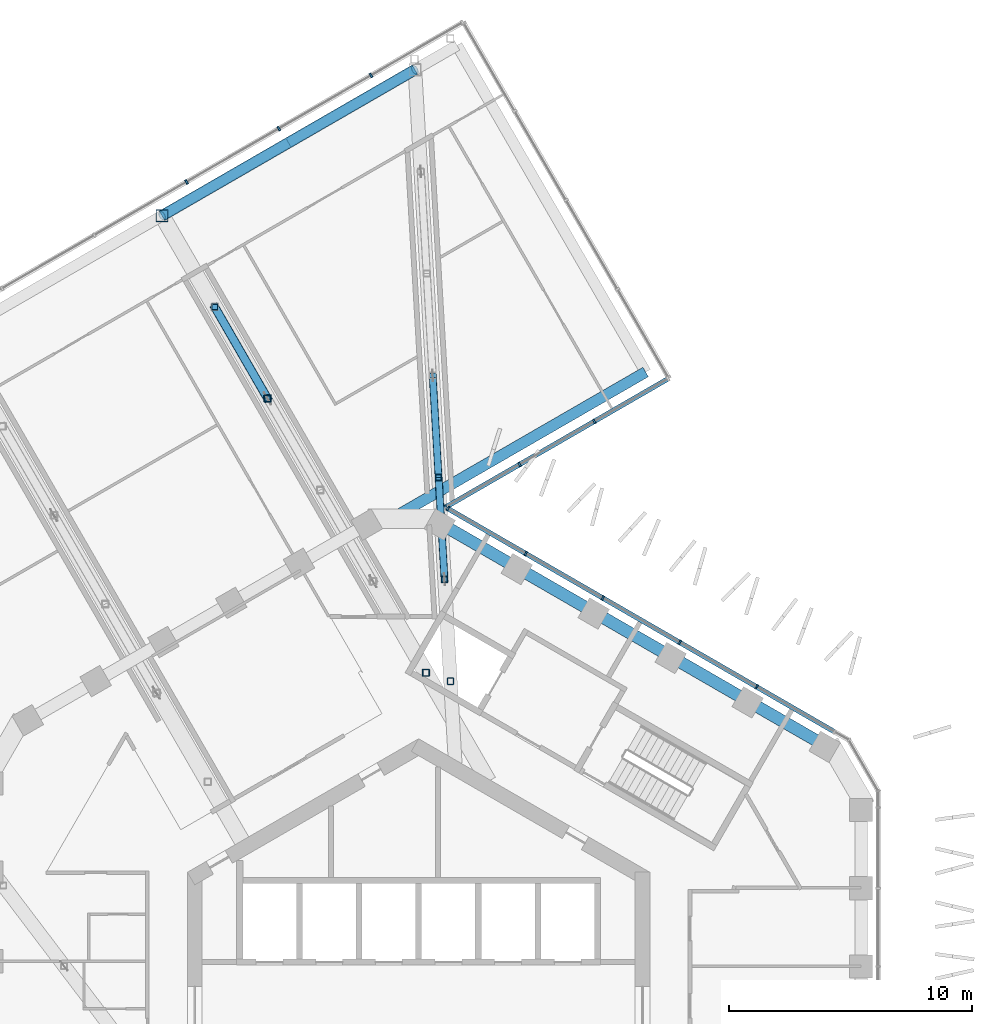
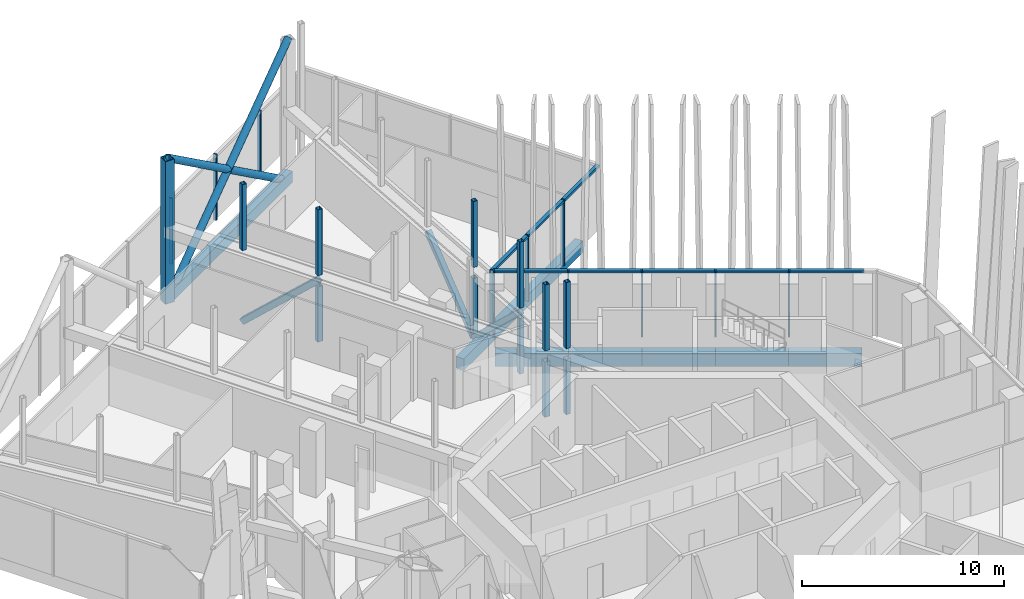
# One storey, part 8 of 29: 30 members, 7 beams, 3 elements without a shape of their own.
"""IFC4 building model written with IfcOpenShell, lengths in metres."""

from ifc_helpers import new_model, si_unit, direction, frame, origin, origin_2d, place, context, subcontext, project, spatial, rectangle, hollow_rectangle, hollow_circle, extrude, material, layer, layer_set, material_profile, profile_set, type_object, element, aggregate, save


model = new_model("IFC4")

# Units and contexts
model_context = context("Model", 3, precision=1e-05, world=origin(), true_north=direction((0.0, 1.0)))
body_context = subcontext(model_context, "Body", "Model", "MODEL_VIEW")
ifc_project = project(units=[si_unit("LENGTHUNIT", "METRE"), si_unit("AREAUNIT", "SQUARE_METRE"), si_unit("VOLUMEUNIT", "CUBIC_METRE"), si_unit("PLANEANGLEUNIT", "RADIAN"), si_unit("MASSUNIT", "GRAM", prefix="KILO")], contexts=[model_context])

# Site, building, storey
site_placement = place(None, origin())
site = spatial("IfcSite", under=ifc_project, at=site_placement, CompositionType="ELEMENT")
building_placement = place(site_placement, origin())
building = spatial("IfcBuilding", under=site, at=building_placement, Name="Ayvan Gate Tower", CompositionType="ELEMENT")
storey_placement = place(building_placement, frame((0.0, 0.0, 186.699951171875)))
storey = spatial("IfcBuildingStorey", under=building, at=storey_placement, Name="L50", CompositionType="ELEMENT", Elevation=186.699951171875)

# Beams
ifc_material_1 = material(Name="Concrete C40/50", Category="concrete")
ifc_material_profile_1 = material_profile(ifc_material_1, rectangle(XDim=0.449951171875, YDim=0.699951171875, at=origin_2d()), Name="RC 450x700")
ifc_profile_set_1 = profile_set([ifc_material_profile_1], Name="Concrete C40/50")
beam_type_1 = type_object("IfcBeamType", Name="Sky bar edge beam RC 450x700 C40/50", PredefinedType="BEAM", material=ifc_profile_set_1)
beam_1_placement = place(storey_placement, frame((-10.54443359375, 32.463623046875, -0.75), z_axis=(0.866026010844, 0.49999894854, 0.0), x_axis=(-0.49999894854, 0.866026010844, 0.0)))
element("IfcBeam", 1, at=beam_1_placement, inside=storey, type_object=beam_type_1, Name="EB-B4-L50-6", PredefinedType="BEAM", context=body_context, shape_type="SweptSolid", body=[
    extrude(rectangle(XDim=0.449951171875, YDim=0.699951171875, at=origin_2d()), origin(), (0.0, 0.0, 1.0), 12.0),
])
beam_2_placement = place(storey_placement, frame((9.329833984375, 26.040283203125, -0.75), z_axis=(-0.866019114593, -0.50001089304, 0.0), x_axis=(0.50001089304, -0.866019114593, 0.0)))
element("IfcBeam", 2, at=beam_2_placement, inside=storey, type_object=beam_type_1, Name="EB-B4-L50-9", PredefinedType="BEAM", context=body_context, shape_type="SweptSolid", body=[
    extrude(rectangle(XDim=0.449951171875, YDim=0.699951171875, at=origin_2d()), origin(), (0.0, 0.0, 1.0), 11.820556640625),
])

# Members
ifc_material_2 = material(Name="Steel S460NH", Category="steel")
ifc_material_profile_2 = material_profile(ifc_material_2, hollow_rectangle(XDim=0.300048828125, YDim=0.300048828125, WallThickness=0.010009765625, InnerFilletRadius=0.010009765625, OuterFilletRadius=0.014892578125, at=origin_2d()), Name="RHS 300x300x10")
ifc_profile_set_2 = profile_set([ifc_material_profile_2], Name="Steel S460NH")
member_type_1 = type_object("IfcMemberType", Name="Sky bar end truss brace B4 RHS 300x300x10", PredefinedType="BRACE", material=ifc_profile_set_2)
for number, where, z_axis, x_axis, name in (
    (3, (1.06494140625, 17.52197265625, 3.275146484375), (-0.041991568045, 0.722532948663, -0.690060030947), (-0.998315463525, -0.058019266519, 0.0), "SBT4-1-D-3"),
    (4, (0.821533203125, 21.710205078125, -0.724853515625), (-0.041991568045, 0.722532948663, 0.690060030947), (-0.998315463525, -0.058019266519, 0.0), "SBT4-1-D-4"),
):
    element("IfcMember", number, at=place(storey_placement, frame(where, z_axis=z_axis, x_axis=x_axis)), inside=storey, type_object=member_type_1, Name=name, PredefinedType="BRACE", context=body_context, shape_type="SweptSolid", body=[
        extrude(hollow_rectangle(XDim=0.300048828125, YDim=0.300048828125, WallThickness=0.010009765625, InnerFilletRadius=0.010009765625, OuterFilletRadius=0.014892578125, at=origin_2d()), origin(), (0.0, 0.0, 1.0), 5.796630859375),
    ])
ifc_material_profile_3 = material_profile(ifc_material_2, hollow_rectangle(XDim=0.27001953125, YDim=0.27001953125, WallThickness=0.012451171875, InnerFilletRadius=0.012451171875, OuterFilletRadius=0.018798828125, at=origin_2d()), Name="RHS 270x270x12.5")
ifc_profile_set_3 = profile_set([ifc_material_profile_3], Name="Steel S460NH")
member_type_2 = type_object("IfcMemberType", Name="Sky bar end truss post B4 RHS 270x270x12.5", PredefinedType="POST", material=ifc_profile_set_3)
for number, where, z_axis, x_axis, name in (
    (5, (1.308349609375, 13.33349609375, -0.39990234375), (0.0, 0.0, 1.0), (1.0, 0.0, 0.0), "SBT4-1-P-1"),
    (6, (1.06494140625, 17.52197265625, -0.39990234375), (0.0, 0.0, 1.0), (1.0, 0.0, 0.0), "SBT4-1-P-2"),
    (7, (0.821533203125, 21.710205078125, -0.39990234375), (0.0, 0.0, 1.0), (1.0, 0.0, 0.0), "SBT4-1-P-3"),
):
    element("IfcMember", number, at=place(storey_placement, frame(where, z_axis=z_axis, x_axis=x_axis)), inside=storey, type_object=member_type_2, Name=name, PredefinedType="POST", context=body_context, shape_type="SweptSolid", body=[
        extrude(hollow_rectangle(XDim=0.27001953125, YDim=0.27001953125, WallThickness=0.012451171875, InnerFilletRadius=0.012451171875, OuterFilletRadius=0.018798828125, at=origin_2d()), origin(), (0.0, 0.0, 1.0), 3.349853515625),
    ])
ifc_material_3 = material(Name="Steel S460ML", Category="steel")
ifc_material_profile_4 = material_profile(ifc_material_3, hollow_rectangle(XDim=0.5, YDim=0.5, WallThickness=0.030029296875, at=origin_2d()), Name="BOX 500x500x30")
ifc_profile_set_4 = profile_set([ifc_material_profile_4], Name="Steel S460ML")
member_type_3 = type_object("IfcMemberType", Name="Sky bar end wall post BOX 500x500x30", PredefinedType="POST", material=ifc_profile_set_4)
member_1_placement = place(storey_placement, frame((-10.54443359375, 32.463623046875, -1.050048828125), z_axis=(0.0, 0.0, 1.0), x_axis=(1.0, 0.0, 0.0)))
element("IfcMember", 8, at=member_1_placement, inside=storey, type_object=member_type_3, Name="EXO-B4-P2", PredefinedType="POST", context=body_context, shape_type="SweptSolid", body=[
    extrude(hollow_rectangle(XDim=0.5, YDim=0.5, WallThickness=0.030029296875, at=origin_2d()), origin(), (0.0, 0.0, 1.0), 8.650146484375),
])
ifc_material_profile_5 = material_profile(ifc_material_2, hollow_circle(Radius=0.203125, WallThickness=0.01611328125, at=origin_2d()), Name="CHS 406.4x16")
ifc_profile_set_5 = profile_set([ifc_material_profile_5], Name="Steel S460NH")
member_type_4 = type_object("IfcMemberType", Name="Sky bar exoskeleton brace CHS 406.4x16", PredefinedType="BRACE", material=ifc_profile_set_5)
for number, where, z_axis, x_axis, name in (
    (9, (-0.152099609375, 38.463623046875, -1.050048828125), (-0.702528572256, -0.405603923034, 0.584755558146), (0.49999894854, -0.866026010844, 0.0), "EXO-B4-D1A"),
    (10, (-10.54443359375, 32.463623046875, -1.050048828125), (0.702528572256, 0.405603923034, 0.584755558146), (-0.49999894854, 0.866026010844, 0.0), "EXO-B4-D1B"),
):
    element("IfcMember", number, at=place(storey_placement, frame(where, z_axis=z_axis, x_axis=x_axis)), inside=storey, type_object=member_type_4, Name=name, PredefinedType="BRACE", context=body_context, shape_type="SweptSolid", body=[
        extrude(hollow_circle(Radius=0.203125, WallThickness=0.01611328125, at=origin_2d()), origin(), (0.0, 0.0, 1.0), 14.792724609375),
    ])
ifc_material_profile_6 = material_profile(ifc_material_2, hollow_rectangle(XDim=0.35009765625, YDim=0.35009765625, WallThickness=0.01416015625, InnerFilletRadius=0.01416015625, OuterFilletRadius=0.021240234375, at=origin_2d()), Name="RHS 350x350x14.2")
ifc_profile_set_6 = profile_set([ifc_material_profile_6], Name="Steel S460NH")
member_type_5 = type_object("IfcMemberType", Name="Sky bar truss brace B4 RHS 350x350x14.2", PredefinedType="BRACE", material=ifc_profile_set_6)
member_2_placement = place(storey_placement, frame((-6.207763671875, 24.951904296875, 3.275146484375), z_axis=(-0.367506238092, 0.636608035898, -0.677989213479), x_axis=(-0.866048720095, -0.49995961279, 0.0)))
element("IfcMember", 11, at=member_2_placement, inside=storey, type_object=member_type_5, Name="SBT4-2-D-5", PredefinedType="BRACE", context=body_context, shape_type="SweptSolid", body=[
    extrude(hollow_rectangle(XDim=0.35009765625, YDim=0.35009765625, WallThickness=0.01416015625, InnerFilletRadius=0.01416015625, OuterFilletRadius=0.021240234375, at=origin_2d()), origin(), (0.0, 0.0, 1.0), 5.89990234375),
])
ifc_material_profile_7 = material_profile(ifc_material_2, hollow_rectangle(XDim=0.300048828125, YDim=0.300048828125, WallThickness=0.01416015625, InnerFilletRadius=0.01416015625, OuterFilletRadius=0.021240234375, at=origin_2d()), Name="RHS 300x300x14.2")
ifc_profile_set_7 = profile_set([ifc_material_profile_7], Name="Steel S460NH")
member_type_6 = type_object("IfcMemberType", Name="Sky bar truss post B4 RHS 300x300x14.2", PredefinedType="POST", material=ifc_profile_set_7)
for number, where, z_axis, x_axis, name in (
    (12, (0.297607421875, 13.6845703125, -0.39990234375), (0.0, 0.0, 1.0), (1.0, 0.0, 0.0), "SBT4-2-P-1"),
    (13, (-6.207763671875, 24.951904296875, -0.39990234375), (0.0, 0.0, 1.0), (1.0, 0.0, 0.0), "SBT4-2-P-4"),
):
    element("IfcMember", number, at=place(storey_placement, frame(where, z_axis=z_axis, x_axis=x_axis)), inside=storey, type_object=member_type_6, Name=name, PredefinedType="POST", context=body_context, shape_type="SweptSolid", body=[
        extrude(hollow_rectangle(XDim=0.300048828125, YDim=0.300048828125, WallThickness=0.01416015625, InnerFilletRadius=0.01416015625, OuterFilletRadius=0.021240234375, at=origin_2d()), origin(), (0.0, 0.0, 1.0), 3.349853515625),
    ])
ifc_material_profile_8 = material_profile(ifc_material_2, hollow_rectangle(XDim=0.260009765625, YDim=0.260009765625, WallThickness=0.012451171875, InnerFilletRadius=0.012451171875, OuterFilletRadius=0.018798828125, at=origin_2d()), Name="RHS 260x260x12.5")
ifc_profile_set_8 = profile_set([ifc_material_profile_8], Name="Steel S460NH")
member_type_7 = type_object("IfcMemberType", Name="Sky bar upper post B4 RHS 260x260x12.5", PredefinedType="POST", material=ifc_profile_set_8)
for number, where, z_axis, x_axis, name in (
    (14, (1.308349609375, 13.33349609375, 3.60009765625), (0.0, 0.0, 1.0), (1.0, 0.0, 0.0), "SBT4-1-U-1"),
    (15, (1.06494140625, 17.52197265625, 3.60009765625), (0.0, 0.0, 1.0), (1.0, 0.0, 0.0), "SBT4-1-U-2"),
    (16, (0.821533203125, 21.710205078125, 3.60009765625), (0.0, 0.0, 1.0), (1.0, 0.0, 0.0), "SBT4-1-U-3"),
    (17, (0.297607421875, 13.6845703125, 3.60009765625), (0.0, 0.0, 1.0), (1.0, 0.0, 0.0), "SBT4-2-U-1"),
    (18, (-6.207763671875, 24.951904296875, 3.60009765625), (0.0, 0.0, 1.0), (1.0, 0.0, 0.0), "SBT4-2-U-4"),
    (19, (-8.3759765625, 28.707763671875, 3.60009765625), (0.0, 0.0, 1.0), (1.0, 0.0, 0.0), "SBT4-2-U-5"),
):
    element("IfcMember", number, at=place(storey_placement, frame(where, z_axis=z_axis, x_axis=x_axis)), inside=storey, type_object=member_type_7, Name=name, PredefinedType="POST", context=body_context, shape_type="SweptSolid", body=[
        extrude(hollow_rectangle(XDim=0.260009765625, YDim=0.260009765625, WallThickness=0.012451171875, InnerFilletRadius=0.012451171875, OuterFilletRadius=0.018798828125, at=origin_2d()), origin(), (0.0, 0.0, 1.0), 4.0),
    ])

# Beams
ifc_material_profile_9 = material_profile(ifc_material_1, rectangle(XDim=0.5, YDim=0.800048828125, at=origin_2d()), Name="RC 500x800")
ifc_profile_set_9 = profile_set([ifc_material_profile_9], Name="Concrete C40/50")
beam_type_2 = type_object("IfcBeamType", Name="Spandrel beam RC 500x800 C40/50", PredefinedType="BEAM", material=ifc_profile_set_9)
beam_3_placement = place(storey_placement, frame((16.6865234375, 10.69677734375, -0.800048828125), z_axis=(-0.866027031905, 0.499997180003, 0.0), x_axis=(-0.499997180003, -0.866027031905, 0.0)))
element("IfcBeam", 20, at=beam_3_placement, inside=storey, type_object=beam_type_2, Name="SB-L50-7", PredefinedType="BEAM", context=body_context, shape_type="SweptSolid", body=[
    extrude(rectangle(XDim=0.5, YDim=0.800048828125, at=origin_2d()), origin(), (0.0, 0.0, 1.0), 3.64111328125),
])
beam_4_placement = place(storey_placement, frame((13.533203125, 12.517333984375, -0.800048828125), z_axis=(-0.866010267955, 0.50002621511, 0.0), x_axis=(-0.50002621511, -0.866010267955, 0.0)))
element("IfcBeam", 21, at=beam_4_placement, inside=storey, type_object=beam_type_2, Name="SB-L50-8", PredefinedType="BEAM", context=body_context, shape_type="SweptSolid", body=[
    extrude(rectangle(XDim=0.5, YDim=0.800048828125, at=origin_2d()), origin(), (0.0, 0.0, 1.0), 3.640869140625),
])
beam_5_placement = place(storey_placement, frame((10.380126953125, 14.337890625, -0.800048828125), z_axis=(-0.866027031905, 0.499997180003, 0.0), x_axis=(-0.499997180003, -0.866027031905, 0.0)))
element("IfcBeam", 22, at=beam_5_placement, inside=storey, type_object=beam_type_2, Name="SB-L50-9", PredefinedType="BEAM", context=body_context, shape_type="SweptSolid", body=[
    extrude(rectangle(XDim=0.5, YDim=0.800048828125, at=origin_2d()), origin(), (0.0, 0.0, 1.0), 3.64111328125),
])
beam_6_placement = place(storey_placement, frame((7.226806640625, 16.158447265625, -0.800048828125), z_axis=(-0.866010267955, 0.50002621511, 0.0), x_axis=(-0.50002621511, -0.866010267955, 0.0)))
element("IfcBeam", 23, at=beam_6_placement, inside=storey, type_object=beam_type_2, Name="SB-L50-10", PredefinedType="BEAM", context=body_context, shape_type="SweptSolid", body=[
    extrude(rectangle(XDim=0.5, YDim=0.800048828125, at=origin_2d()), origin(), (0.0, 0.0, 1.0), 3.640869140625),
])
beam_7_placement = place(storey_placement, frame((4.07373046875, 17.97900390625, -0.800048828125), z_axis=(-0.86605606512, 0.499946889248, 0.0), x_axis=(-0.499946889248, -0.86605606512, 0.0)))
element("IfcBeam", 24, at=beam_7_placement, inside=storey, type_object=beam_type_2, Name="SB-L50-11", PredefinedType="BEAM", context=body_context, shape_type="SweptSolid", body=[
    extrude(rectangle(XDim=0.5, YDim=0.800048828125, at=origin_2d()), origin(), (0.0, 0.0, 1.0), 3.64111328125),
])

# Curtain wall, members
ifc_material_4 = material(Name="Bronze anodised aluminium", Category="aluminium")
ifc_layer_1 = layer(ifc_material_4, 0.199951171875)
ifc_layer_set_1 = layer_set([ifc_layer_1], Name="Bronze anodised aluminium")
curtain_wall_type_1 = type_object("IfcCurtainWallType", Name="Stick curtain wall CW-2", PredefinedType="NOTDEFINED", material=ifc_layer_set_1)
curtain_wall_1_placement = place(storey_placement, origin())
curtain_wall_1 = element("IfcCurtainWall", 25, at=curtain_wall_1_placement, inside=storey, type_object=curtain_wall_type_1, Name="Stick curtain wall CW-2 L50", PredefinedType="NOTDEFINED")
ifc_material_profile_10 = material_profile(ifc_material_4, rectangle(XDim=0.199951171875, YDim=0.070068359375, at=origin_2d()), Name="Stick curtain wall CW-2 mullion 200 x 70")
ifc_profile_set_10 = profile_set([ifc_material_profile_10], Name="Bronze anodised aluminium")
member_type_8 = type_object("IfcMemberType", Name="Stick curtain wall CW-2 mullion 200 x 70", PredefinedType="MULLION", material=ifc_profile_set_10)
member_3_placement = place(storey_placement, frame((13.891357421875, 13.102783203125, 0.0), z_axis=(0.0, 0.0, 1.0), x_axis=(0.5, 0.866025403784, 0.0)))
member_3 = element("IfcMember", 26, at=member_3_placement, type_object=member_type_8, Name="CW-2 mullion 2", PredefinedType="MULLION", context=body_context, shape_type="SweptSolid", body=[
    extrude(rectangle(XDim=0.199951171875, YDim=0.070068359375, at=origin_2d()), origin(), (0.0, 0.0, 1.0), 4.0),
])
member_4_placement = place(storey_placement, frame((10.727783203125, 14.929443359375, 0.0), z_axis=(0.0, 0.0, 1.0), x_axis=(0.5, 0.866025403784, 0.0)))
member_4 = element("IfcMember", 27, at=member_4_placement, type_object=member_type_8, Name="CW-2 mullion 3", PredefinedType="MULLION", context=body_context, shape_type="SweptSolid", body=[
    extrude(rectangle(XDim=0.199951171875, YDim=0.070068359375, at=origin_2d()), origin(), (0.0, 0.0, 1.0), 4.0),
])
member_5_placement = place(storey_placement, frame((7.56494140625, 16.75537109375, 0.0), z_axis=(0.0, 0.0, 1.0), x_axis=(0.5, 0.866025403784, 0.0)))
member_5 = element("IfcMember", 28, at=member_5_placement, type_object=member_type_8, Name="CW-2 mullion 4", PredefinedType="MULLION", context=body_context, shape_type="SweptSolid", body=[
    extrude(rectangle(XDim=0.199951171875, YDim=0.070068359375, at=origin_2d()), origin(), (0.0, 0.0, 1.0), 4.0),
])
member_6_placement = place(storey_placement, frame((4.40234375, 18.581298828125, 0.0), z_axis=(0.0, 0.0, 1.0), x_axis=(0.5, 0.866025403784, 0.0)))
member_6 = element("IfcMember", 29, at=member_6_placement, type_object=member_type_8, Name="CW-2 mullion 5", PredefinedType="MULLION", context=body_context, shape_type="SweptSolid", body=[
    extrude(rectangle(XDim=0.199951171875, YDim=0.070068359375, at=origin_2d()), origin(), (0.0, 0.0, 1.0), 4.0),
])
member_7_placement = place(storey_placement, frame((1.20703125, 20.426025390625, 0.0), z_axis=(0.0, 0.0, 1.0), x_axis=(0.5, 0.866025403784, 0.0)))
member_7 = element("IfcMember", 30, at=member_7_placement, type_object=member_type_8, Name="CW-2 mullion 6", PredefinedType="MULLION", context=body_context, shape_type="SweptSolid", body=[
    extrude(rectangle(XDim=0.199951171875, YDim=0.070068359375, at=origin_2d()), origin(), (0.0, 0.0, 1.0), 4.0),
])
ifc_material_profile_11 = material_profile(ifc_material_4, rectangle(XDim=0.199951171875, YDim=0.1201171875, at=origin_2d()), Name="Stick curtain wall CW-2 transom 200 x 120")
ifc_profile_set_11 = profile_set([ifc_material_profile_11], Name="Bronze anodised aluminium")
member_type_9 = type_object("IfcMemberType", Name="Stick curtain wall CW-2 transom 200 x 120", PredefinedType="USERDEFINED", material=ifc_profile_set_11)
member_8_placement = place(storey_placement, frame((17.0859375, 11.25830078125, 3.93994140625), z_axis=(-0.866024605284, 0.500001383041, 0.0), x_axis=(-0.500001383041, -0.866024605284, 0.0)))
member_8 = element("IfcMember", 31, at=member_8_placement, type_object=member_type_9, Name="CW-2 transom 1", ObjectType="TRANSOM", PredefinedType="USERDEFINED", context=body_context, shape_type="SweptSolid", body=[
    extrude(rectangle(XDim=0.199951171875, YDim=0.1201171875, at=origin_2d()), origin(), (0.0, 0.0, 1.0), 18.33544921875),
])
aggregate(curtain_wall_1, [member_3, member_4, member_5, member_6, member_7, member_8])

ifc_layer_2 = layer(ifc_material_4, 0.199951171875)
ifc_layer_set_2 = layer_set([ifc_layer_2], Name="Bronze anodised aluminium")
curtain_wall_type_2 = type_object("IfcCurtainWallType", Name="Stick curtain wall CW-4", PredefinedType="NOTDEFINED", material=ifc_layer_set_2)
curtain_wall_2_placement = place(storey_placement, origin())
curtain_wall_2 = element("IfcCurtainWall", 32, at=curtain_wall_2_placement, inside=storey, type_object=curtain_wall_type_2, Name="Stick curtain wall CW-4 L50", PredefinedType="NOTDEFINED")
ifc_material_profile_12 = material_profile(ifc_material_4, rectangle(XDim=0.199951171875, YDim=0.080078125, at=origin_2d()), Name="Stick curtain wall CW-4 mullion 200 x 80")
ifc_profile_set_12 = profile_set([ifc_material_profile_12], Name="Bronze anodised aluminium")
member_type_10 = type_object("IfcMemberType", Name="Stick curtain wall CW-4 mullion 200 x 80", PredefinedType="MULLION", material=ifc_profile_set_12)
member_9_placement = place(storey_placement, frame((1.115478515625, 20.4892578125, 0.0), z_axis=(0.0, 0.0, 1.0), x_axis=(0.5, -0.866025403784, 0.0)))
member_9 = element("IfcMember", 33, at=member_9_placement, type_object=member_type_10, Name="CW-4 mullion 1", PredefinedType="MULLION", context=body_context, shape_type="SweptSolid", body=[
    extrude(rectangle(XDim=0.199951171875, YDim=0.080078125, at=origin_2d()), origin(), (0.0, 0.0, 1.0), 4.0),
])
member_10_placement = place(storey_placement, frame((4.149169921875, 22.240966796875, 0.0), z_axis=(0.0, 0.0, 1.0), x_axis=(0.5, -0.866025403784, 0.0)))
member_10 = element("IfcMember", 34, at=member_10_placement, type_object=member_type_10, Name="CW-4 mullion 2", PredefinedType="MULLION", context=body_context, shape_type="SweptSolid", body=[
    extrude(rectangle(XDim=0.199951171875, YDim=0.080078125, at=origin_2d()), origin(), (0.0, 0.0, 1.0), 4.0),
])
member_11_placement = place(storey_placement, frame((7.2177734375, 24.012451171875, 0.0), z_axis=(0.0, 0.0, 1.0), x_axis=(0.5, -0.866025403784, 0.0)))
member_11 = element("IfcMember", 35, at=member_11_placement, type_object=member_type_10, Name="CW-4 mullion 3", PredefinedType="MULLION", context=body_context, shape_type="SweptSolid", body=[
    extrude(rectangle(XDim=0.199951171875, YDim=0.080078125, at=origin_2d()), origin(), (0.0, 0.0, 1.0), 4.0),
])

curtain_wall_3_placement = place(storey_placement, origin())
curtain_wall_3 = element("IfcCurtainWall", 36, at=curtain_wall_3_placement, inside=storey, type_object=curtain_wall_type_2, Name="Stick curtain wall CW-4 L50", PredefinedType="NOTDEFINED")
member_12_placement = place(storey_placement, frame((-1.955078125, 38.23095703125, 0.0), z_axis=(0.0, 0.0, 1.0), x_axis=(-0.5, 0.866025403784, 0.0)))
member_12 = element("IfcMember", 37, at=member_12_placement, type_object=member_type_10, Name="CW-4 mullion 2", PredefinedType="MULLION", context=body_context, shape_type="SweptSolid", body=[
    extrude(rectangle(XDim=0.199951171875, YDim=0.080078125, at=origin_2d()), origin(), (0.0, 0.0, 1.0), 4.0),
])
member_13_placement = place(storey_placement, frame((-5.746337890625, 36.0419921875, 0.0), z_axis=(0.0, 0.0, 1.0), x_axis=(-0.5, 0.866025403784, 0.0)))
member_13 = element("IfcMember", 38, at=member_13_placement, type_object=member_type_10, Name="CW-4 mullion 3", PredefinedType="MULLION", context=body_context, shape_type="SweptSolid", body=[
    extrude(rectangle(XDim=0.199951171875, YDim=0.080078125, at=origin_2d()), origin(), (0.0, 0.0, 1.0), 4.0),
])
member_14_placement = place(storey_placement, frame((-9.53759765625, 33.85302734375, 0.0), z_axis=(0.0, 0.0, 1.0), x_axis=(-0.5, 0.866025403784, 0.0)))
member_14 = element("IfcMember", 39, at=member_14_placement, type_object=member_type_10, Name="CW-4 mullion 4", PredefinedType="MULLION", context=body_context, shape_type="SweptSolid", body=[
    extrude(rectangle(XDim=0.199951171875, YDim=0.080078125, at=origin_2d()), origin(), (0.0, 0.0, 1.0), 4.0),
])
aggregate(curtain_wall_3, [member_12, member_13, member_14])

# Member
ifc_material_profile_13 = material_profile(ifc_material_4, rectangle(XDim=0.199951171875, YDim=0.139892578125, at=origin_2d()), Name="Stick curtain wall CW-4 transom 200 x 140")
ifc_profile_set_13 = profile_set([ifc_material_profile_13], Name="Bronze anodised aluminium")
member_type_11 = type_object("IfcMemberType", Name="Stick curtain wall CW-4 transom 200 x 140", PredefinedType="USERDEFINED", material=ifc_profile_set_13)
member_15_placement = place(storey_placement, frame((1.115478515625, 20.4892578125, 3.929931640625), z_axis=(0.866025648533, 0.499999576082, 0.0), x_axis=(-0.499999576082, 0.866025648533, 0.0)))
member_15 = element("IfcMember", 40, at=member_15_placement, type_object=member_type_11, Name="CW-4 transom 1", ObjectType="TRANSOM", PredefinedType="USERDEFINED", context=body_context, shape_type="SweptSolid", body=[
    extrude(rectangle(XDim=0.199951171875, YDim=0.139892578125, at=origin_2d()), origin(), (0.0, 0.0, 1.0), 10.54931640625),
])

aggregate(curtain_wall_2, [member_9, member_10, member_11, member_15])

save(model, "model.ifc")
